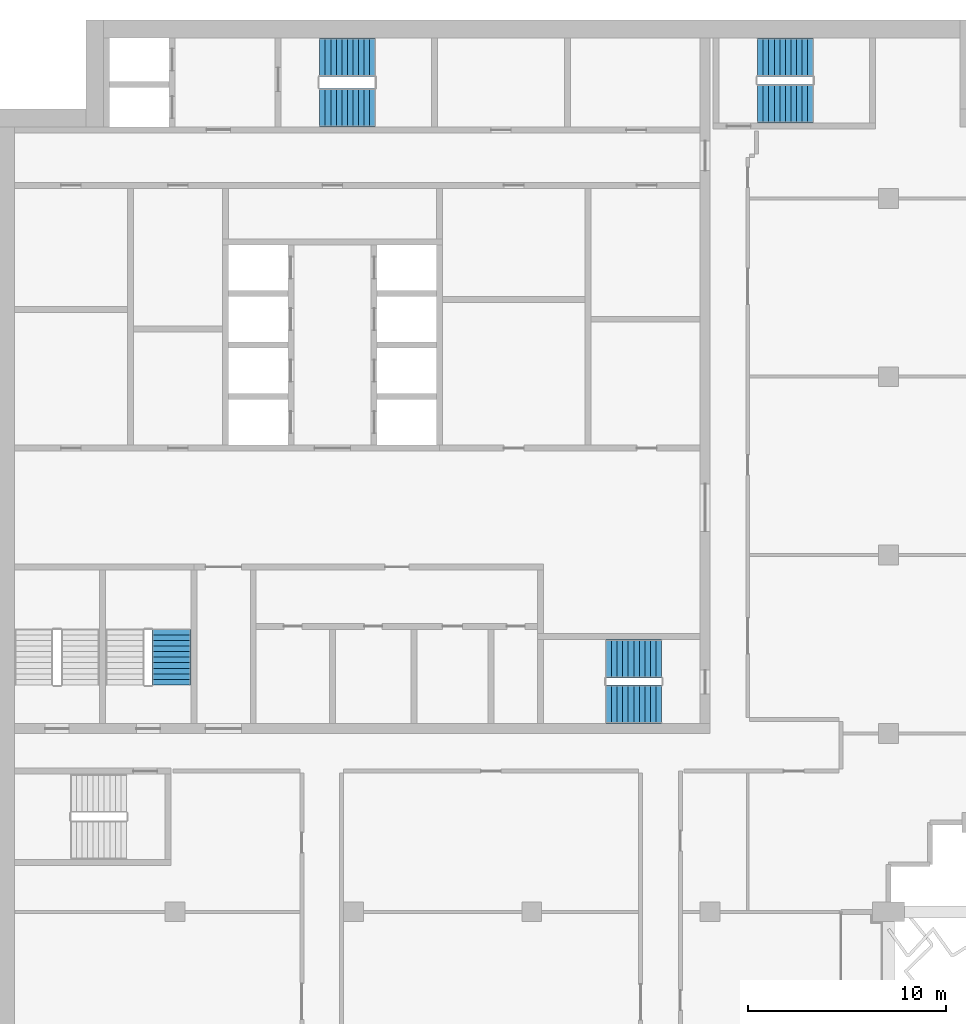
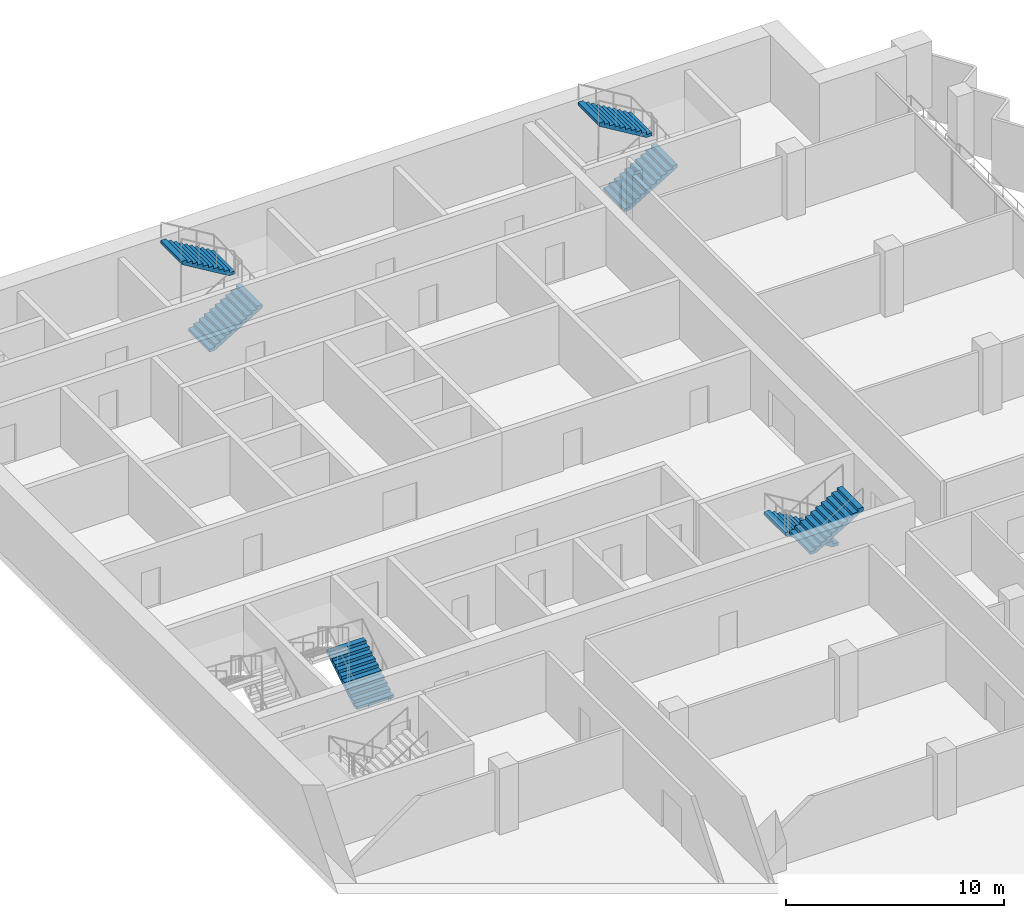
# One storey, part 13 of 17: 7 stair flights, 4 elements without a shape of their own.
"""IFC4 building model written with IfcOpenShell, lengths in metres."""

from ifc_helpers import new_model, si_unit, direction, frame, origin, place, context, subcontext, project, spatial, polyline, outline, extrude, material, type_object, element, aggregate, save


model = new_model("IFC4")

# Units and contexts
model_context = context("Model", 3, precision=1e-05, world=origin(), true_north=direction((0.0, 1.0)))
body_context = subcontext(model_context, "Body", "Model", "MODEL_VIEW")
ifc_project = project(units=[si_unit("LENGTHUNIT", "METRE"), si_unit("AREAUNIT", "SQUARE_METRE"), si_unit("VOLUMEUNIT", "CUBIC_METRE"), si_unit("PLANEANGLEUNIT", "RADIAN"), si_unit("MASSUNIT", "GRAM", prefix="KILO")], contexts=[model_context])

# Site, building, storey
site_placement = place(None, origin())
site = spatial("IfcSite", under=ifc_project, at=site_placement, CompositionType="ELEMENT")
building_placement = place(site_placement, origin())
building = spatial("IfcBuilding", under=site, at=building_placement, Name="Hunhe Ridgeline Campus", CompositionType="ELEMENT")
storey_placement = place(building_placement, frame((0.0, 0.0, 268.800048828125)))
storey = spatial("IfcBuildingStorey", under=building, at=storey_placement, Name="L69", CompositionType="ELEMENT", Elevation=268.800048828125)

# Stair, stair flights
ifc_material = material(Name="Concrete C40", Category="concrete")
stair_type = type_object("IfcStairType", Name="Reinforced concrete dog-leg stair 1950 Concrete C40", PredefinedType="HALF_TURN_STAIR", material=ifc_material)
stair_1_placement = place(storey_placement, origin())
stair_1 = element("IfcStair", 1, at=stair_1_placement, inside=storey, type_object=stair_type, Name="L69 S1", PredefinedType="HALF_TURN_STAIR")
stair_flight_type = type_object("IfcStairFlightType", Name="Reinforced concrete stair flight 1950 Concrete C40", PredefinedType="STRAIGHT", material=ifc_material)
stair_flight_1_placement = place(storey_placement, frame((16.300048828125, 94.574951171875, 0.0), z_axis=(0.0, 0.0, 1.0), x_axis=(1.0, 0.0, 0.0)))
stair_flight_1 = element("IfcStairFlight", 2, at=stair_flight_1_placement, type_object=stair_flight_type, Name="ST1 flight 1", NumberOfRisers=11, NumberOfTreads=10, PredefinedType="STRAIGHT", RiserHeight=0.168181818, TreadLength=0.28, context=body_context, shape_type="SweptSolid", body=[
    extrude(outline(polyline([(0.0, 0.0), (0.0, 0.168212890625), (0.280029296875, 0.168212890625), (0.280029296875, 0.33642578125), (0.56005859375, 0.33642578125), (0.56005859375, 0.504638671875), (0.840087890625, 0.504638671875), (0.840087890625, 0.672607421875), (1.1201171875, 0.672607421875), (1.1201171875, 0.8408203125), (1.39990234375, 0.8408203125), (1.39990234375, 1.009033203125), (1.679931640625, 1.009033203125), (1.679931640625, 1.17724609375), (1.9599609375, 1.17724609375), (1.9599609375, 1.345458984375), (2.239990234375, 1.345458984375), (2.239990234375, 1.513671875), (2.52001953125, 1.513671875), (2.52001953125, 1.681884765625), (2.800048828125, 1.681884765625), (2.800048828125, 1.85009765625), (2.800048828125, 1.5068359375), (0.291015625, 0.0), (0.0, 0.0)])), frame((0.0, 0.97509765625, 0.0), z_axis=(0.0, -1.0, 0.0), x_axis=(1.0, 0.0, 0.0)), (0.0, 0.0, 1.0), 1.949951171875),
    extrude(outline(polyline([(0.030029296875, 0.030029296875), (0.030029296875, 0.13818359375), (0.31005859375, 0.13818359375), (0.31005859375, 0.306396484375), (0.590087890625, 0.306396484375), (0.590087890625, 0.474609375), (0.8701171875, 0.474609375), (0.8701171875, 0.642578125), (1.14990234375, 0.642578125), (1.14990234375, 0.810791015625), (1.429931640625, 0.810791015625), (1.429931640625, 0.97900390625), (1.7099609375, 0.97900390625), (1.7099609375, 1.147216796875), (1.989990234375, 1.147216796875), (1.989990234375, 1.3154296875), (2.27001953125, 1.3154296875), (2.27001953125, 1.483642578125), (2.550048828125, 1.483642578125), (2.550048828125, 1.65185546875), (2.77001953125, 1.65185546875), (2.77001953125, 1.52392578125), (0.28271484375, 0.030029296875), (0.030029296875, 0.030029296875)])), frame((0.0, -0.070068359375, 0.0), z_axis=(0.0, -1.0, 0.0), x_axis=(1.0, 0.0, 0.0)), (0.0, 0.0, 1.0), 0.019775390625),
    extrude(outline(polyline([(0.030029296875, 0.030029296875), (0.030029296875, 0.13818359375), (0.31005859375, 0.13818359375), (0.31005859375, 0.306396484375), (0.590087890625, 0.306396484375), (0.590087890625, 0.474609375), (0.8701171875, 0.474609375), (0.8701171875, 0.642578125), (1.14990234375, 0.642578125), (1.14990234375, 0.810791015625), (1.429931640625, 0.810791015625), (1.429931640625, 0.97900390625), (1.7099609375, 0.97900390625), (1.7099609375, 1.147216796875), (1.989990234375, 1.147216796875), (1.989990234375, 1.3154296875), (2.27001953125, 1.3154296875), (2.27001953125, 1.483642578125), (2.550048828125, 1.483642578125), (2.550048828125, 1.65185546875), (2.77001953125, 1.65185546875), (2.77001953125, 1.52392578125), (0.28271484375, 0.030029296875), (0.030029296875, 0.030029296875)])), frame((0.0, 0.010009765625, 0.0), z_axis=(0.0, -1.0, 0.0), x_axis=(1.0, 0.0, 0.0)), (0.0, 0.0, 1.0), 0.019775390625),
    extrude(outline(polyline([(0.030029296875, 0.030029296875), (0.030029296875, 0.13818359375), (0.31005859375, 0.13818359375), (0.31005859375, 0.306396484375), (0.590087890625, 0.306396484375), (0.590087890625, 0.474609375), (0.8701171875, 0.474609375), (0.8701171875, 0.642578125), (1.14990234375, 0.642578125), (1.14990234375, 0.810791015625), (1.429931640625, 0.810791015625), (1.429931640625, 0.97900390625), (1.7099609375, 0.97900390625), (1.7099609375, 1.147216796875), (1.989990234375, 1.147216796875), (1.989990234375, 1.3154296875), (2.27001953125, 1.3154296875), (2.27001953125, 1.483642578125), (2.550048828125, 1.483642578125), (2.550048828125, 1.65185546875), (2.77001953125, 1.65185546875), (2.77001953125, 1.52392578125), (0.28271484375, 0.030029296875), (0.030029296875, 0.030029296875)])), frame((0.0, 0.090087890625, 0.0), z_axis=(0.0, -1.0, 0.0), x_axis=(1.0, 0.0, 0.0)), (0.0, 0.0, 1.0), 0.019775390625),
])
stair_flight_2_placement = place(storey_placement, frame((19.10009765625, 97.125, 1.849853515625), z_axis=(0.0, 0.0, 1.0), x_axis=(-1.0, 0.0, 0.0)))
stair_flight_2 = element("IfcStairFlight", 3, at=stair_flight_2_placement, type_object=stair_flight_type, Name="ST1 flight 2", NumberOfRisers=11, NumberOfTreads=10, PredefinedType="STRAIGHT", RiserHeight=0.168181818, TreadLength=0.28, context=body_context, shape_type="SweptSolid", body=[
    extrude(outline(polyline([(0.0, 0.0), (0.0, 0.168212890625), (0.280029296875, 0.168212890625), (0.280029296875, 0.33642578125), (0.56005859375, 0.33642578125), (0.56005859375, 0.504638671875), (0.840087890625, 0.504638671875), (0.840087890625, 0.672607421875), (1.1201171875, 0.672607421875), (1.1201171875, 0.8408203125), (1.39990234375, 0.8408203125), (1.39990234375, 1.009033203125), (1.679931640625, 1.009033203125), (1.679931640625, 1.17724609375), (1.9599609375, 1.17724609375), (1.9599609375, 1.345458984375), (2.239990234375, 1.345458984375), (2.239990234375, 1.513671875), (2.52001953125, 1.513671875), (2.52001953125, 1.681884765625), (2.800048828125, 1.681884765625), (2.800048828125, 1.85009765625), (2.800048828125, 1.5068359375), (0.291015625, 0.0), (0.0, 0.0)])), frame((0.0, 0.97509765625, 0.0), z_axis=(0.0, -1.0, 0.0), x_axis=(1.0, 0.0, 0.0)), (0.0, 0.0, 1.0), 1.949951171875),
    extrude(outline(polyline([(0.030029296875, 0.030029296875), (0.030029296875, 0.13818359375), (0.31005859375, 0.13818359375), (0.31005859375, 0.306396484375), (0.590087890625, 0.306396484375), (0.590087890625, 0.474609375), (0.8701171875, 0.474609375), (0.8701171875, 0.642578125), (1.14990234375, 0.642578125), (1.14990234375, 0.810791015625), (1.429931640625, 0.810791015625), (1.429931640625, 0.97900390625), (1.7099609375, 0.97900390625), (1.7099609375, 1.147216796875), (1.989990234375, 1.147216796875), (1.989990234375, 1.3154296875), (2.27001953125, 1.3154296875), (2.27001953125, 1.483642578125), (2.550048828125, 1.483642578125), (2.550048828125, 1.65185546875), (2.77001953125, 1.65185546875), (2.77001953125, 1.52392578125), (0.28271484375, 0.030029296875), (0.030029296875, 0.030029296875)])), frame((0.0, -0.070068359375, 0.0), z_axis=(0.0, -1.0, 0.0), x_axis=(1.0, 0.0, 0.0)), (0.0, 0.0, 1.0), 0.019775390625),
    extrude(outline(polyline([(0.030029296875, 0.030029296875), (0.030029296875, 0.13818359375), (0.31005859375, 0.13818359375), (0.31005859375, 0.306396484375), (0.590087890625, 0.306396484375), (0.590087890625, 0.474609375), (0.8701171875, 0.474609375), (0.8701171875, 0.642578125), (1.14990234375, 0.642578125), (1.14990234375, 0.810791015625), (1.429931640625, 0.810791015625), (1.429931640625, 0.97900390625), (1.7099609375, 0.97900390625), (1.7099609375, 1.147216796875), (1.989990234375, 1.147216796875), (1.989990234375, 1.3154296875), (2.27001953125, 1.3154296875), (2.27001953125, 1.483642578125), (2.550048828125, 1.483642578125), (2.550048828125, 1.65185546875), (2.77001953125, 1.65185546875), (2.77001953125, 1.52392578125), (0.28271484375, 0.030029296875), (0.030029296875, 0.030029296875)])), frame((0.0, 0.010009765625, 0.0), z_axis=(0.0, -1.0, 0.0), x_axis=(1.0, 0.0, 0.0)), (0.0, 0.0, 1.0), 0.019775390625),
    extrude(outline(polyline([(0.030029296875, 0.030029296875), (0.030029296875, 0.13818359375), (0.31005859375, 0.13818359375), (0.31005859375, 0.306396484375), (0.590087890625, 0.306396484375), (0.590087890625, 0.474609375), (0.8701171875, 0.474609375), (0.8701171875, 0.642578125), (1.14990234375, 0.642578125), (1.14990234375, 0.810791015625), (1.429931640625, 0.810791015625), (1.429931640625, 0.97900390625), (1.7099609375, 0.97900390625), (1.7099609375, 1.147216796875), (1.989990234375, 1.147216796875), (1.989990234375, 1.3154296875), (2.27001953125, 1.3154296875), (2.27001953125, 1.483642578125), (2.550048828125, 1.483642578125), (2.550048828125, 1.65185546875), (2.77001953125, 1.65185546875), (2.77001953125, 1.52392578125), (0.28271484375, 0.030029296875), (0.030029296875, 0.030029296875)])), frame((0.0, 0.090087890625, 0.0), z_axis=(0.0, -1.0, 0.0), x_axis=(1.0, 0.0, 0.0)), (0.0, 0.0, 1.0), 0.019775390625),
])
aggregate(stair_1, [stair_flight_1, stair_flight_2])

stair_2_placement = place(storey_placement, origin())
stair_2 = element("IfcStair", 4, at=stair_2_placement, inside=storey, type_object=stair_type, Name="L69 S2", PredefinedType="HALF_TURN_STAIR")
stair_flight_3_placement = place(storey_placement, frame((33.550048828125, 66.77490234375, 0.0), z_axis=(0.0, 0.0, 1.0), x_axis=(-1.0, 0.0, 0.0)))
stair_flight_3 = element("IfcStairFlight", 5, at=stair_flight_3_placement, type_object=stair_flight_type, Name="ST2 flight 1", NumberOfRisers=11, NumberOfTreads=10, PredefinedType="STRAIGHT", RiserHeight=0.168181818, TreadLength=0.28, context=body_context, shape_type="SweptSolid", body=[
    extrude(outline(polyline([(0.0, 0.0), (0.0, 0.168212890625), (0.280029296875, 0.168212890625), (0.280029296875, 0.33642578125), (0.56005859375, 0.33642578125), (0.56005859375, 0.504638671875), (0.840087890625, 0.504638671875), (0.840087890625, 0.672607421875), (1.1201171875, 0.672607421875), (1.1201171875, 0.8408203125), (1.39990234375, 0.8408203125), (1.39990234375, 1.009033203125), (1.679931640625, 1.009033203125), (1.679931640625, 1.17724609375), (1.9599609375, 1.17724609375), (1.9599609375, 1.345458984375), (2.239990234375, 1.345458984375), (2.239990234375, 1.513671875), (2.52001953125, 1.513671875), (2.52001953125, 1.681884765625), (2.800048828125, 1.681884765625), (2.800048828125, 1.85009765625), (2.800048828125, 1.5068359375), (0.291015625, 0.0), (0.0, 0.0)])), frame((0.0, 0.97509765625, 0.0), z_axis=(0.0, -1.0, 0.0), x_axis=(1.0, 0.0, 0.0)), (0.0, 0.0, 1.0), 1.949951171875),
    extrude(outline(polyline([(0.030029296875, 0.030029296875), (0.030029296875, 0.13818359375), (0.31005859375, 0.13818359375), (0.31005859375, 0.306396484375), (0.590087890625, 0.306396484375), (0.590087890625, 0.474609375), (0.8701171875, 0.474609375), (0.8701171875, 0.642578125), (1.14990234375, 0.642578125), (1.14990234375, 0.810791015625), (1.429931640625, 0.810791015625), (1.429931640625, 0.97900390625), (1.7099609375, 0.97900390625), (1.7099609375, 1.147216796875), (1.989990234375, 1.147216796875), (1.989990234375, 1.3154296875), (2.27001953125, 1.3154296875), (2.27001953125, 1.483642578125), (2.550048828125, 1.483642578125), (2.550048828125, 1.65185546875), (2.77001953125, 1.65185546875), (2.77001953125, 1.52392578125), (0.28271484375, 0.030029296875), (0.030029296875, 0.030029296875)])), frame((0.0, -0.070068359375, 0.0), z_axis=(0.0, -1.0, 0.0), x_axis=(1.0, 0.0, 0.0)), (0.0, 0.0, 1.0), 0.019775390625),
    extrude(outline(polyline([(0.030029296875, 0.030029296875), (0.030029296875, 0.13818359375), (0.31005859375, 0.13818359375), (0.31005859375, 0.306396484375), (0.590087890625, 0.306396484375), (0.590087890625, 0.474609375), (0.8701171875, 0.474609375), (0.8701171875, 0.642578125), (1.14990234375, 0.642578125), (1.14990234375, 0.810791015625), (1.429931640625, 0.810791015625), (1.429931640625, 0.97900390625), (1.7099609375, 0.97900390625), (1.7099609375, 1.147216796875), (1.989990234375, 1.147216796875), (1.989990234375, 1.3154296875), (2.27001953125, 1.3154296875), (2.27001953125, 1.483642578125), (2.550048828125, 1.483642578125), (2.550048828125, 1.65185546875), (2.77001953125, 1.65185546875), (2.77001953125, 1.52392578125), (0.28271484375, 0.030029296875), (0.030029296875, 0.030029296875)])), frame((0.0, 0.010009765625, 0.0), z_axis=(0.0, -1.0, 0.0), x_axis=(1.0, 0.0, 0.0)), (0.0, 0.0, 1.0), 0.019775390625),
    extrude(outline(polyline([(0.030029296875, 0.030029296875), (0.030029296875, 0.13818359375), (0.31005859375, 0.13818359375), (0.31005859375, 0.306396484375), (0.590087890625, 0.306396484375), (0.590087890625, 0.474609375), (0.8701171875, 0.474609375), (0.8701171875, 0.642578125), (1.14990234375, 0.642578125), (1.14990234375, 0.810791015625), (1.429931640625, 0.810791015625), (1.429931640625, 0.97900390625), (1.7099609375, 0.97900390625), (1.7099609375, 1.147216796875), (1.989990234375, 1.147216796875), (1.989990234375, 1.3154296875), (2.27001953125, 1.3154296875), (2.27001953125, 1.483642578125), (2.550048828125, 1.483642578125), (2.550048828125, 1.65185546875), (2.77001953125, 1.65185546875), (2.77001953125, 1.52392578125), (0.28271484375, 0.030029296875), (0.030029296875, 0.030029296875)])), frame((0.0, 0.090087890625, 0.0), z_axis=(0.0, -1.0, 0.0), x_axis=(1.0, 0.0, 0.0)), (0.0, 0.0, 1.0), 0.019775390625),
])
stair_flight_4_placement = place(storey_placement, frame((30.75, 64.47509765625, 1.849853515625), z_axis=(0.0, 0.0, 1.0), x_axis=(1.0, 0.0, 0.0)))
stair_flight_4 = element("IfcStairFlight", 6, at=stair_flight_4_placement, type_object=stair_flight_type, Name="ST2 flight 2", NumberOfRisers=11, NumberOfTreads=10, PredefinedType="STRAIGHT", RiserHeight=0.168181818, TreadLength=0.28, context=body_context, shape_type="SweptSolid", body=[
    extrude(outline(polyline([(0.0, 0.0), (0.0, 0.168212890625), (0.280029296875, 0.168212890625), (0.280029296875, 0.33642578125), (0.56005859375, 0.33642578125), (0.56005859375, 0.504638671875), (0.840087890625, 0.504638671875), (0.840087890625, 0.672607421875), (1.1201171875, 0.672607421875), (1.1201171875, 0.8408203125), (1.39990234375, 0.8408203125), (1.39990234375, 1.009033203125), (1.679931640625, 1.009033203125), (1.679931640625, 1.17724609375), (1.9599609375, 1.17724609375), (1.9599609375, 1.345458984375), (2.239990234375, 1.345458984375), (2.239990234375, 1.513671875), (2.52001953125, 1.513671875), (2.52001953125, 1.681884765625), (2.800048828125, 1.681884765625), (2.800048828125, 1.85009765625), (2.800048828125, 1.5068359375), (0.291015625, 0.0), (0.0, 0.0)])), frame((0.0, 0.97509765625, 0.0), z_axis=(0.0, -1.0, 0.0), x_axis=(1.0, 0.0, 0.0)), (0.0, 0.0, 1.0), 1.949951171875),
    extrude(outline(polyline([(0.030029296875, 0.030029296875), (0.030029296875, 0.13818359375), (0.31005859375, 0.13818359375), (0.31005859375, 0.306396484375), (0.590087890625, 0.306396484375), (0.590087890625, 0.474609375), (0.8701171875, 0.474609375), (0.8701171875, 0.642578125), (1.14990234375, 0.642578125), (1.14990234375, 0.810791015625), (1.429931640625, 0.810791015625), (1.429931640625, 0.97900390625), (1.7099609375, 0.97900390625), (1.7099609375, 1.147216796875), (1.989990234375, 1.147216796875), (1.989990234375, 1.3154296875), (2.27001953125, 1.3154296875), (2.27001953125, 1.483642578125), (2.550048828125, 1.483642578125), (2.550048828125, 1.65185546875), (2.77001953125, 1.65185546875), (2.77001953125, 1.52392578125), (0.28271484375, 0.030029296875), (0.030029296875, 0.030029296875)])), frame((0.0, -0.070068359375, 0.0), z_axis=(0.0, -1.0, 0.0), x_axis=(1.0, 0.0, 0.0)), (0.0, 0.0, 1.0), 0.019775390625),
    extrude(outline(polyline([(0.030029296875, 0.030029296875), (0.030029296875, 0.13818359375), (0.31005859375, 0.13818359375), (0.31005859375, 0.306396484375), (0.590087890625, 0.306396484375), (0.590087890625, 0.474609375), (0.8701171875, 0.474609375), (0.8701171875, 0.642578125), (1.14990234375, 0.642578125), (1.14990234375, 0.810791015625), (1.429931640625, 0.810791015625), (1.429931640625, 0.97900390625), (1.7099609375, 0.97900390625), (1.7099609375, 1.147216796875), (1.989990234375, 1.147216796875), (1.989990234375, 1.3154296875), (2.27001953125, 1.3154296875), (2.27001953125, 1.483642578125), (2.550048828125, 1.483642578125), (2.550048828125, 1.65185546875), (2.77001953125, 1.65185546875), (2.77001953125, 1.52392578125), (0.28271484375, 0.030029296875), (0.030029296875, 0.030029296875)])), frame((0.0, 0.010009765625, 0.0), z_axis=(0.0, -1.0, 0.0), x_axis=(1.0, 0.0, 0.0)), (0.0, 0.0, 1.0), 0.019775390625),
    extrude(outline(polyline([(0.030029296875, 0.030029296875), (0.030029296875, 0.13818359375), (0.31005859375, 0.13818359375), (0.31005859375, 0.306396484375), (0.590087890625, 0.306396484375), (0.590087890625, 0.474609375), (0.8701171875, 0.474609375), (0.8701171875, 0.642578125), (1.14990234375, 0.642578125), (1.14990234375, 0.810791015625), (1.429931640625, 0.810791015625), (1.429931640625, 0.97900390625), (1.7099609375, 0.97900390625), (1.7099609375, 1.147216796875), (1.989990234375, 1.147216796875), (1.989990234375, 1.3154296875), (2.27001953125, 1.3154296875), (2.27001953125, 1.483642578125), (2.550048828125, 1.483642578125), (2.550048828125, 1.65185546875), (2.77001953125, 1.65185546875), (2.77001953125, 1.52392578125), (0.28271484375, 0.030029296875), (0.030029296875, 0.030029296875)])), frame((0.0, 0.090087890625, 0.0), z_axis=(0.0, -1.0, 0.0), x_axis=(1.0, 0.0, 0.0)), (0.0, 0.0, 1.0), 0.019775390625),
])
aggregate(stair_2, [stair_flight_3, stair_flight_4])

# Stair, stair flight
stair_3_placement = place(storey_placement, origin())
stair_3 = element("IfcStair", 7, at=stair_3_placement, inside=storey, type_object=stair_type, Name="L69 S4", PredefinedType="HALF_TURN_STAIR")
stair_flight_5_placement = place(storey_placement, frame((8.824951171875, 65.449951171875, 0.0), z_axis=(0.0, 0.0, 1.0), x_axis=(0.0, 1.0, 0.0)))
stair_flight_5 = element("IfcStairFlight", 8, at=stair_flight_5_placement, type_object=stair_flight_type, Name="ST4 flight 1", NumberOfRisers=11, NumberOfTreads=10, PredefinedType="STRAIGHT", RiserHeight=0.168181818, TreadLength=0.28, context=body_context, shape_type="SweptSolid", body=[
    extrude(outline(polyline([(0.0, 0.0), (0.0, 0.168212890625), (0.280029296875, 0.168212890625), (0.280029296875, 0.33642578125), (0.56005859375, 0.33642578125), (0.56005859375, 0.504638671875), (0.840087890625, 0.504638671875), (0.840087890625, 0.672607421875), (1.1201171875, 0.672607421875), (1.1201171875, 0.8408203125), (1.39990234375, 0.8408203125), (1.39990234375, 1.009033203125), (1.679931640625, 1.009033203125), (1.679931640625, 1.17724609375), (1.9599609375, 1.17724609375), (1.9599609375, 1.345458984375), (2.239990234375, 1.345458984375), (2.239990234375, 1.513671875), (2.52001953125, 1.513671875), (2.52001953125, 1.681884765625), (2.800048828125, 1.681884765625), (2.800048828125, 1.85009765625), (2.800048828125, 1.5068359375), (0.291015625, 0.0), (0.0, 0.0)])), frame((0.0, 0.97509765625, 0.0), z_axis=(0.0, -1.0, 0.0), x_axis=(1.0, 0.0, 0.0)), (0.0, 0.0, 1.0), 1.949951171875),
    extrude(outline(polyline([(0.030029296875, 0.030029296875), (0.030029296875, 0.13818359375), (0.31005859375, 0.13818359375), (0.31005859375, 0.306396484375), (0.590087890625, 0.306396484375), (0.590087890625, 0.474609375), (0.8701171875, 0.474609375), (0.8701171875, 0.642578125), (1.14990234375, 0.642578125), (1.14990234375, 0.810791015625), (1.429931640625, 0.810791015625), (1.429931640625, 0.97900390625), (1.7099609375, 0.97900390625), (1.7099609375, 1.147216796875), (1.989990234375, 1.147216796875), (1.989990234375, 1.3154296875), (2.27001953125, 1.3154296875), (2.27001953125, 1.483642578125), (2.550048828125, 1.483642578125), (2.550048828125, 1.65185546875), (2.77001953125, 1.65185546875), (2.77001953125, 1.52392578125), (0.28271484375, 0.030029296875), (0.030029296875, 0.030029296875)])), frame((0.0, -0.070068359375, 0.0), z_axis=(0.0, -1.0, 0.0), x_axis=(1.0, 0.0, 0.0)), (0.0, 0.0, 1.0), 0.019775390625),
    extrude(outline(polyline([(0.030029296875, 0.030029296875), (0.030029296875, 0.13818359375), (0.31005859375, 0.13818359375), (0.31005859375, 0.306396484375), (0.590087890625, 0.306396484375), (0.590087890625, 0.474609375), (0.8701171875, 0.474609375), (0.8701171875, 0.642578125), (1.14990234375, 0.642578125), (1.14990234375, 0.810791015625), (1.429931640625, 0.810791015625), (1.429931640625, 0.97900390625), (1.7099609375, 0.97900390625), (1.7099609375, 1.147216796875), (1.989990234375, 1.147216796875), (1.989990234375, 1.3154296875), (2.27001953125, 1.3154296875), (2.27001953125, 1.483642578125), (2.550048828125, 1.483642578125), (2.550048828125, 1.65185546875), (2.77001953125, 1.65185546875), (2.77001953125, 1.52392578125), (0.28271484375, 0.030029296875), (0.030029296875, 0.030029296875)])), frame((0.0, 0.010009765625, 0.0), z_axis=(0.0, -1.0, 0.0), x_axis=(1.0, 0.0, 0.0)), (0.0, 0.0, 1.0), 0.019775390625),
    extrude(outline(polyline([(0.030029296875, 0.030029296875), (0.030029296875, 0.13818359375), (0.31005859375, 0.13818359375), (0.31005859375, 0.306396484375), (0.590087890625, 0.306396484375), (0.590087890625, 0.474609375), (0.8701171875, 0.474609375), (0.8701171875, 0.642578125), (1.14990234375, 0.642578125), (1.14990234375, 0.810791015625), (1.429931640625, 0.810791015625), (1.429931640625, 0.97900390625), (1.7099609375, 0.97900390625), (1.7099609375, 1.147216796875), (1.989990234375, 1.147216796875), (1.989990234375, 1.3154296875), (2.27001953125, 1.3154296875), (2.27001953125, 1.483642578125), (2.550048828125, 1.483642578125), (2.550048828125, 1.65185546875), (2.77001953125, 1.65185546875), (2.77001953125, 1.52392578125), (0.28271484375, 0.030029296875), (0.030029296875, 0.030029296875)])), frame((0.0, 0.090087890625, 0.0), z_axis=(0.0, -1.0, 0.0), x_axis=(1.0, 0.0, 0.0)), (0.0, 0.0, 1.0), 0.019775390625),
])
aggregate(stair_3, [stair_flight_5])

# Stair, stair flights
stair_4_placement = place(storey_placement, origin())
stair_4 = element("IfcStair", 9, at=stair_4_placement, inside=storey, type_object=stair_type, Name="L69 E1", PredefinedType="HALF_TURN_STAIR")
stair_flight_6_placement = place(storey_placement, frame((38.39990234375, 94.77490234375, 0.0), z_axis=(0.0, 0.0, 1.0), x_axis=(1.0, 0.0, 0.0)))
stair_flight_6 = element("IfcStairFlight", 10, at=stair_flight_6_placement, type_object=stair_flight_type, Name="ST5 flight 1", NumberOfRisers=11, NumberOfTreads=10, PredefinedType="STRAIGHT", RiserHeight=0.168181818, TreadLength=0.28, context=body_context, shape_type="SweptSolid", body=[
    extrude(outline(polyline([(0.0, 0.0), (0.0, 0.168212890625), (0.280029296875, 0.168212890625), (0.280029296875, 0.33642578125), (0.56005859375, 0.33642578125), (0.56005859375, 0.504638671875), (0.840087890625, 0.504638671875), (0.840087890625, 0.672607421875), (1.1201171875, 0.672607421875), (1.1201171875, 0.8408203125), (1.39990234375, 0.8408203125), (1.39990234375, 1.009033203125), (1.679931640625, 1.009033203125), (1.679931640625, 1.17724609375), (1.9599609375, 1.17724609375), (1.9599609375, 1.345458984375), (2.239990234375, 1.345458984375), (2.239990234375, 1.513671875), (2.52001953125, 1.513671875), (2.52001953125, 1.681884765625), (2.800048828125, 1.681884765625), (2.800048828125, 1.85009765625), (2.800048828125, 1.5068359375), (0.291015625, 0.0), (0.0, 0.0)])), frame((0.0, 0.97509765625, 0.0), z_axis=(0.0, -1.0, 0.0), x_axis=(1.0, 0.0, 0.0)), (0.0, 0.0, 1.0), 1.949951171875),
    extrude(outline(polyline([(0.030029296875, 0.030029296875), (0.030029296875, 0.13818359375), (0.31005859375, 0.13818359375), (0.31005859375, 0.306396484375), (0.590087890625, 0.306396484375), (0.590087890625, 0.474609375), (0.8701171875, 0.474609375), (0.8701171875, 0.642578125), (1.14990234375, 0.642578125), (1.14990234375, 0.810791015625), (1.429931640625, 0.810791015625), (1.429931640625, 0.97900390625), (1.7099609375, 0.97900390625), (1.7099609375, 1.147216796875), (1.989990234375, 1.147216796875), (1.989990234375, 1.3154296875), (2.27001953125, 1.3154296875), (2.27001953125, 1.483642578125), (2.550048828125, 1.483642578125), (2.550048828125, 1.65185546875), (2.77001953125, 1.65185546875), (2.77001953125, 1.52392578125), (0.28271484375, 0.030029296875), (0.030029296875, 0.030029296875)])), frame((0.0, -0.070068359375, 0.0), z_axis=(0.0, -1.0, 0.0), x_axis=(1.0, 0.0, 0.0)), (0.0, 0.0, 1.0), 0.019775390625),
    extrude(outline(polyline([(0.030029296875, 0.030029296875), (0.030029296875, 0.13818359375), (0.31005859375, 0.13818359375), (0.31005859375, 0.306396484375), (0.590087890625, 0.306396484375), (0.590087890625, 0.474609375), (0.8701171875, 0.474609375), (0.8701171875, 0.642578125), (1.14990234375, 0.642578125), (1.14990234375, 0.810791015625), (1.429931640625, 0.810791015625), (1.429931640625, 0.97900390625), (1.7099609375, 0.97900390625), (1.7099609375, 1.147216796875), (1.989990234375, 1.147216796875), (1.989990234375, 1.3154296875), (2.27001953125, 1.3154296875), (2.27001953125, 1.483642578125), (2.550048828125, 1.483642578125), (2.550048828125, 1.65185546875), (2.77001953125, 1.65185546875), (2.77001953125, 1.52392578125), (0.28271484375, 0.030029296875), (0.030029296875, 0.030029296875)])), frame((0.0, 0.010009765625, 0.0), z_axis=(0.0, -1.0, 0.0), x_axis=(1.0, 0.0, 0.0)), (0.0, 0.0, 1.0), 0.019775390625),
    extrude(outline(polyline([(0.030029296875, 0.030029296875), (0.030029296875, 0.13818359375), (0.31005859375, 0.13818359375), (0.31005859375, 0.306396484375), (0.590087890625, 0.306396484375), (0.590087890625, 0.474609375), (0.8701171875, 0.474609375), (0.8701171875, 0.642578125), (1.14990234375, 0.642578125), (1.14990234375, 0.810791015625), (1.429931640625, 0.810791015625), (1.429931640625, 0.97900390625), (1.7099609375, 0.97900390625), (1.7099609375, 1.147216796875), (1.989990234375, 1.147216796875), (1.989990234375, 1.3154296875), (2.27001953125, 1.3154296875), (2.27001953125, 1.483642578125), (2.550048828125, 1.483642578125), (2.550048828125, 1.65185546875), (2.77001953125, 1.65185546875), (2.77001953125, 1.52392578125), (0.28271484375, 0.030029296875), (0.030029296875, 0.030029296875)])), frame((0.0, 0.090087890625, 0.0), z_axis=(0.0, -1.0, 0.0), x_axis=(1.0, 0.0, 0.0)), (0.0, 0.0, 1.0), 0.019775390625),
])
stair_flight_7_placement = place(storey_placement, frame((41.199951171875, 97.125, 1.849853515625), z_axis=(0.0, 0.0, 1.0), x_axis=(-1.0, 0.0, 0.0)))
stair_flight_7 = element("IfcStairFlight", 11, at=stair_flight_7_placement, type_object=stair_flight_type, Name="ST5 flight 2", NumberOfRisers=11, NumberOfTreads=10, PredefinedType="STRAIGHT", RiserHeight=0.168181818, TreadLength=0.28, context=body_context, shape_type="SweptSolid", body=[
    extrude(outline(polyline([(0.0, 0.0), (0.0, 0.168212890625), (0.280029296875, 0.168212890625), (0.280029296875, 0.33642578125), (0.56005859375, 0.33642578125), (0.56005859375, 0.504638671875), (0.840087890625, 0.504638671875), (0.840087890625, 0.672607421875), (1.1201171875, 0.672607421875), (1.1201171875, 0.8408203125), (1.39990234375, 0.8408203125), (1.39990234375, 1.009033203125), (1.679931640625, 1.009033203125), (1.679931640625, 1.17724609375), (1.9599609375, 1.17724609375), (1.9599609375, 1.345458984375), (2.239990234375, 1.345458984375), (2.239990234375, 1.513671875), (2.52001953125, 1.513671875), (2.52001953125, 1.681884765625), (2.800048828125, 1.681884765625), (2.800048828125, 1.85009765625), (2.800048828125, 1.5068359375), (0.291015625, 0.0), (0.0, 0.0)])), frame((0.0, 0.97509765625, 0.0), z_axis=(0.0, -1.0, 0.0), x_axis=(1.0, 0.0, 0.0)), (0.0, 0.0, 1.0), 1.949951171875),
    extrude(outline(polyline([(0.030029296875, 0.030029296875), (0.030029296875, 0.13818359375), (0.31005859375, 0.13818359375), (0.31005859375, 0.306396484375), (0.590087890625, 0.306396484375), (0.590087890625, 0.474609375), (0.8701171875, 0.474609375), (0.8701171875, 0.642578125), (1.14990234375, 0.642578125), (1.14990234375, 0.810791015625), (1.429931640625, 0.810791015625), (1.429931640625, 0.97900390625), (1.7099609375, 0.97900390625), (1.7099609375, 1.147216796875), (1.989990234375, 1.147216796875), (1.989990234375, 1.3154296875), (2.27001953125, 1.3154296875), (2.27001953125, 1.483642578125), (2.550048828125, 1.483642578125), (2.550048828125, 1.65185546875), (2.77001953125, 1.65185546875), (2.77001953125, 1.52392578125), (0.28271484375, 0.030029296875), (0.030029296875, 0.030029296875)])), frame((0.0, -0.070068359375, 0.0), z_axis=(0.0, -1.0, 0.0), x_axis=(1.0, 0.0, 0.0)), (0.0, 0.0, 1.0), 0.019775390625),
    extrude(outline(polyline([(0.030029296875, 0.030029296875), (0.030029296875, 0.13818359375), (0.31005859375, 0.13818359375), (0.31005859375, 0.306396484375), (0.590087890625, 0.306396484375), (0.590087890625, 0.474609375), (0.8701171875, 0.474609375), (0.8701171875, 0.642578125), (1.14990234375, 0.642578125), (1.14990234375, 0.810791015625), (1.429931640625, 0.810791015625), (1.429931640625, 0.97900390625), (1.7099609375, 0.97900390625), (1.7099609375, 1.147216796875), (1.989990234375, 1.147216796875), (1.989990234375, 1.3154296875), (2.27001953125, 1.3154296875), (2.27001953125, 1.483642578125), (2.550048828125, 1.483642578125), (2.550048828125, 1.65185546875), (2.77001953125, 1.65185546875), (2.77001953125, 1.52392578125), (0.28271484375, 0.030029296875), (0.030029296875, 0.030029296875)])), frame((0.0, 0.010009765625, 0.0), z_axis=(0.0, -1.0, 0.0), x_axis=(1.0, 0.0, 0.0)), (0.0, 0.0, 1.0), 0.019775390625),
    extrude(outline(polyline([(0.030029296875, 0.030029296875), (0.030029296875, 0.13818359375), (0.31005859375, 0.13818359375), (0.31005859375, 0.306396484375), (0.590087890625, 0.306396484375), (0.590087890625, 0.474609375), (0.8701171875, 0.474609375), (0.8701171875, 0.642578125), (1.14990234375, 0.642578125), (1.14990234375, 0.810791015625), (1.429931640625, 0.810791015625), (1.429931640625, 0.97900390625), (1.7099609375, 0.97900390625), (1.7099609375, 1.147216796875), (1.989990234375, 1.147216796875), (1.989990234375, 1.3154296875), (2.27001953125, 1.3154296875), (2.27001953125, 1.483642578125), (2.550048828125, 1.483642578125), (2.550048828125, 1.65185546875), (2.77001953125, 1.65185546875), (2.77001953125, 1.52392578125), (0.28271484375, 0.030029296875), (0.030029296875, 0.030029296875)])), frame((0.0, 0.090087890625, 0.0), z_axis=(0.0, -1.0, 0.0), x_axis=(1.0, 0.0, 0.0)), (0.0, 0.0, 1.0), 0.019775390625),
])
aggregate(stair_4, [stair_flight_6, stair_flight_7])

save(model, "model.ifc")
